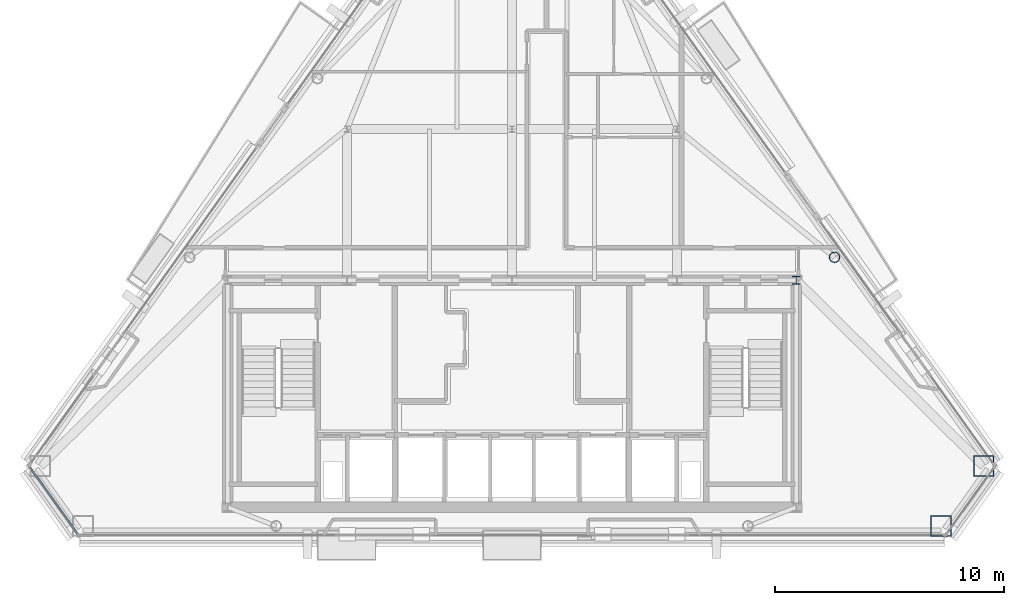
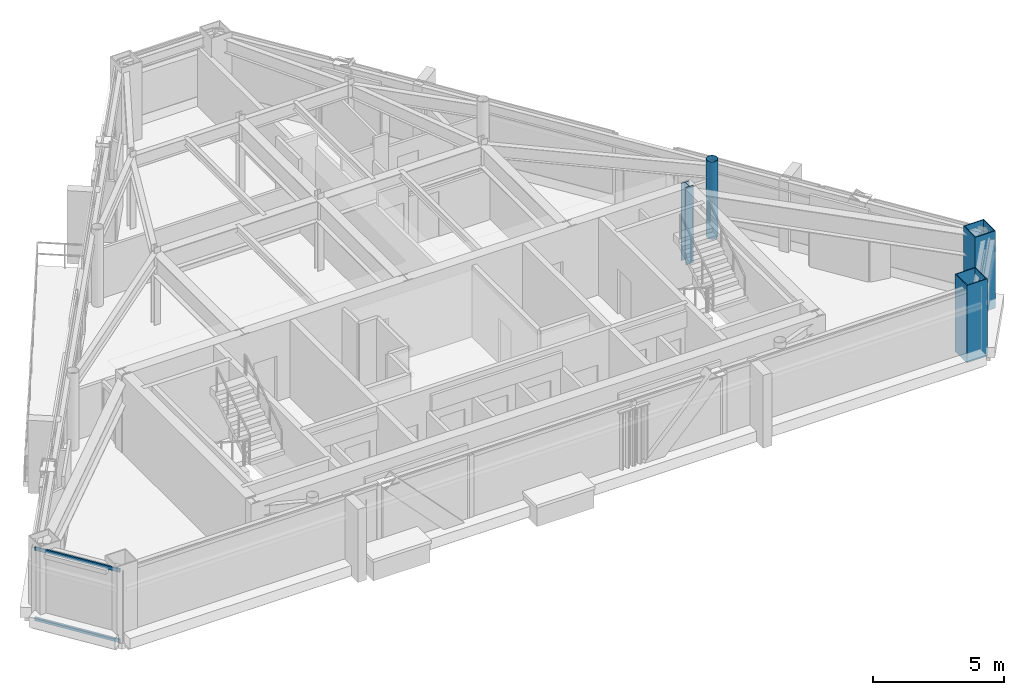
# One storey, part 3 of 12: 4 columns, 2 members, 1 element without a shape of its own.
"""IFC4 building model written with IfcOpenShell, lengths in metres."""

from ifc_helpers import new_model, si_unit, direction, frame, origin, origin_2d, place, context, subcontext, project, spatial, rectangle, hollow_rectangle, hollow_circle, i_section, extrude, material, layer, layer_set, material_profile, profile_set, type_object, element, aggregate, save


model = new_model("IFC4")

# Units and contexts
model_context = context("Model", 3, precision=1e-05, world=origin(), true_north=direction((0.0, 1.0)))
body_context = subcontext(model_context, "Body", "Model", "MODEL_VIEW")
ifc_project = project(units=[si_unit("LENGTHUNIT", "METRE"), si_unit("AREAUNIT", "SQUARE_METRE"), si_unit("VOLUMEUNIT", "CUBIC_METRE"), si_unit("PLANEANGLEUNIT", "RADIAN"), si_unit("MASSUNIT", "GRAM", prefix="KILO")], contexts=[model_context])

# Site, building, storey
site_placement = place(None, origin())
site = spatial("IfcSite", under=ifc_project, at=site_placement, CompositionType="ELEMENT")
building_placement = place(site_placement, origin())
building = spatial("IfcBuilding", under=site, at=building_placement, Name="Talgorran Terracotta Tower", CompositionType="ELEMENT")
storey_placement = place(building_placement, frame((0.0, 0.0, 267.0)))
storey = spatial("IfcBuildingStorey", under=building, at=storey_placement, Name="L70", CompositionType="ELEMENT", Elevation=267.0)

# Columns
ifc_material_1 = material(Name="Steel S355 (300PLUS)", Category="steel")
ifc_material_profile_1 = material_profile(ifc_material_1, i_section(OverallWidth=0.35205078125, OverallDepth=0.35888671875, WebThickness=0.01806640625, FlangeThickness=0.02587890625, at=origin_2d()), Name="350WC197")
ifc_profile_set_1 = profile_set([ifc_material_profile_1], Name="Steel S355 (300PLUS)")
column_type_1 = type_object("IfcColumnType", Name="COL_350WC197", PredefinedType="COLUMN", material=ifc_profile_set_1)
column_1_placement = place(storey_placement, frame((12.39990234375, -4.199951171875, 0.0), z_axis=(0.0, 0.0, 1.0), x_axis=(1.0, 0.0, 0.0)))
element("IfcColumn", 1, at=column_1_placement, inside=storey, type_object=column_type_1, Name="L70 Core Boundary Column CC3", PredefinedType="COLUMN", context=body_context, shape_type="SweptSolid", body=[
    extrude(i_section(OverallWidth=0.35205078125, OverallDepth=0.35888671875, WebThickness=0.01806640625, FlangeThickness=0.02587890625, at=origin_2d()), origin(), (0.0, 0.0, 1.0), 3.60009765625),
])
ifc_material_2 = material(Name="Steel Grade 350 (350L0)", Category="steel")
ifc_material_profile_2 = material_profile(ifc_material_2, hollow_rectangle(XDim=0.89990234375, YDim=0.89990234375, WallThickness=0.0400390625, at=origin_2d()), Name="CFT900X900X40")
ifc_profile_set_2 = profile_set([ifc_material_profile_2], Name="Steel Grade 350 (350L0)")
column_type_2 = type_object("IfcColumnType", Name="COL_CFT_900", PredefinedType="COLUMN", material=ifc_profile_set_2)
for number, where, z_axis, x_axis, name in (
    (2, (18.71435546875, -14.9189453125, 0.0), (0.0, 0.0, 1.0), (1.0, 0.0, 0.0), "L70 Corner CFT Mega-Column MC3"),
    (3, (20.5849609375, -12.303466796875, 0.0), (0.0, 0.0, 1.0), (1.0, 0.0, 0.0), "L70 Corner CFT Mega-Column MC4"),
):
    element("IfcColumn", number, at=place(storey_placement, frame(where, z_axis=z_axis, x_axis=x_axis)), inside=storey, type_object=column_type_2, Name=name, PredefinedType="COLUMN", context=body_context, shape_type="SweptSolid", body=[
        extrude(hollow_rectangle(XDim=0.89990234375, YDim=0.89990234375, WallThickness=0.0400390625, at=origin_2d()), origin(), (0.0, 0.0, 1.0), 3.60009765625),
    ])
ifc_material_3 = material(Name="Steel S350 (C350L0)", Category="steel")
ifc_material_profile_3 = material_profile(ifc_material_3, hollow_circle(Radius=0.228515625, WallThickness=0.01611328125, at=origin_2d()), Name="CHS457X16")
ifc_profile_set_3 = profile_set([ifc_material_profile_3], Name="Steel S350 (C350L0)")
column_type_3 = type_object("IfcColumnType", Name="COL_CHS_457", PredefinedType="COLUMN", material=ifc_profile_set_3)
column_2_placement = place(storey_placement, frame((14.071533203125, -3.1962890625, 0.0), z_axis=(0.0, 0.0, 1.0), x_axis=(1.0, 0.0, 0.0)))
element("IfcColumn", 4, at=column_2_placement, inside=storey, type_object=column_type_3, Name="L70 Facet Perimeter Column FC3", PredefinedType="COLUMN", context=body_context, shape_type="SweptSolid", body=[
    extrude(hollow_circle(Radius=0.228515625, WallThickness=0.01611328125, at=origin_2d()), origin(), (0.0, 0.0, 1.0), 3.60009765625),
])

# Curtain wall, members
ifc_material_4 = material(Name="High-Wind Unitised Glazing", Category="glass")
ifc_layer = layer(ifc_material_4, 0.2099609375, Name="CW_SYS3_RES_HIGH")
ifc_layer_set = layer_set([ifc_layer], Name="High-Wind Unitised Glazing")
curtain_wall_type = type_object("IfcCurtainWallType", Name="CW_SYS3_RES_HIGH", PredefinedType="NOTDEFINED", material=ifc_layer_set)
curtain_wall_placement = place(storey_placement, origin())
curtain_wall = element("IfcCurtainWall", 5, at=curtain_wall_placement, inside=storey, type_object=curtain_wall_type, Name="CW-L70-F0", PredefinedType="NOTDEFINED")
ifc_material_5 = material(Name="Architectural Aluminium 6063-T6", Category="aluminium")
ifc_material_profile_4 = material_profile(ifc_material_5, rectangle(XDim=0.070068359375, YDim=0.159912109375, at=origin_2d()), Name="CWT70X160")
ifc_profile_set_4 = profile_set([ifc_material_profile_4], Name="Architectural Aluminium 6063-T6")
member_type = type_object("IfcMemberType", Name="TRN_70X160", PredefinedType="USERDEFINED", material=ifc_profile_set_4)
member_1_placement = place(storey_placement, frame((-21.035888671875, -12.3603515625, 0.034912109375), z_axis=(0.581723630641, -0.813386511785, 0.0), x_axis=(0.813386511785, 0.581723630641, 0.0)))
member_1 = element("IfcMember", 6, at=member_1_placement, type_object=member_type, Name="CW-L70-0 transom 1.1", ObjectType="TRANSOM", PredefinedType="USERDEFINED", context=body_context, shape_type="SweptSolid", body=[
    extrude(rectangle(XDim=0.070068359375, YDim=0.159912109375, at=origin_2d()), origin(), (0.0, 0.0, 1.0), 3.5673828125),
])
member_2_placement = place(storey_placement, frame((-21.035888671875, -12.3603515625, 3.31005859375), z_axis=(0.581723630641, -0.813386511785, 0.0), x_axis=(0.813386511785, 0.581723630641, 0.0)))
member_2 = element("IfcMember", 7, at=member_2_placement, type_object=member_type, Name="CW-L70-0 transom 1.2", ObjectType="TRANSOM", PredefinedType="USERDEFINED", context=body_context, shape_type="SweptSolid", body=[
    extrude(rectangle(XDim=0.070068359375, YDim=0.159912109375, at=origin_2d()), origin(), (0.0, 0.0, 1.0), 3.5673828125),
])
aggregate(curtain_wall, [member_1, member_2])

save(model, "model.ifc")
